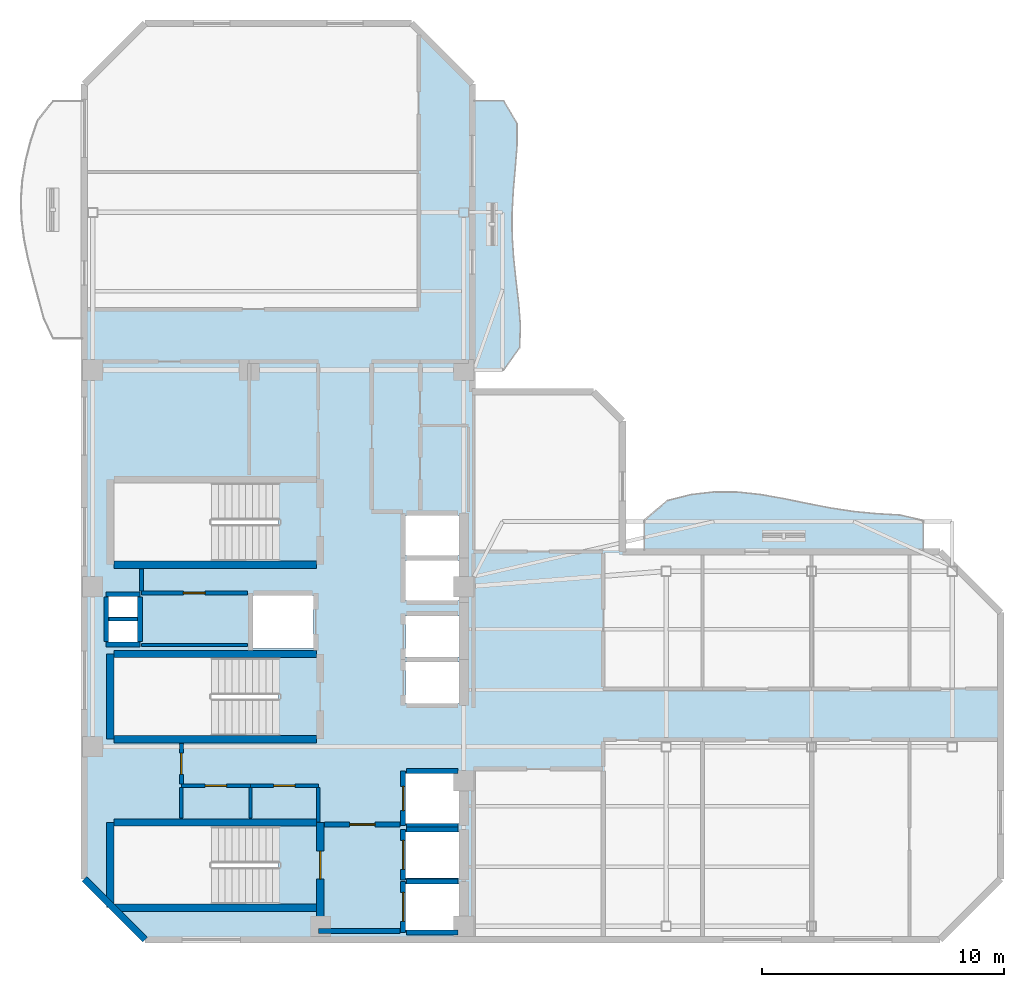
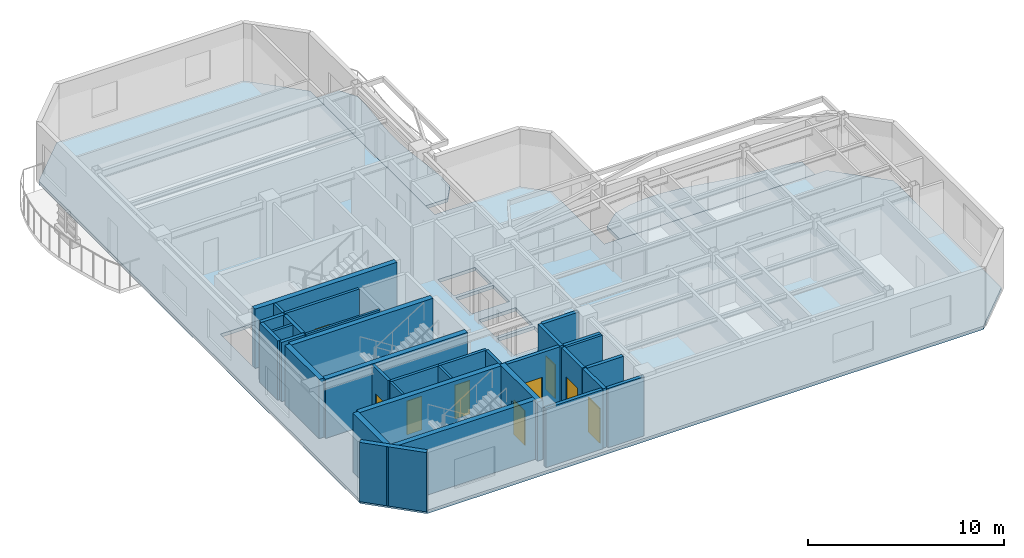
# One storey, part 2 of 7: 33 walls, 9 doors, 3 slabs, 9 openings.
"""IFC4 building model written with IfcOpenShell, lengths in metres."""

from ifc_helpers import new_model, si_unit, direction, frame, frame_2d, origin, place, context, subcontext, project, spatial, polyline, rectangle, outline, extrude, material, layer, layer_set, type_object, element, fill, save


model = new_model("IFC4")

# Units and contexts
model_context = context("Model", 3, precision=1e-05, world=origin(), true_north=direction((0.0, 1.0)))
body_context = subcontext(model_context, "Body", "Model", "MODEL_VIEW")
ifc_project = project(units=[si_unit("LENGTHUNIT", "METRE"), si_unit("AREAUNIT", "SQUARE_METRE"), si_unit("VOLUMEUNIT", "CUBIC_METRE"), si_unit("PLANEANGLEUNIT", "RADIAN"), si_unit("MASSUNIT", "GRAM", prefix="KILO")], contexts=[model_context])

# Site, building, storey
site_placement = place(None, origin())
site = spatial("IfcSite", under=ifc_project, at=site_placement, CompositionType="ELEMENT")
building_placement = place(site_placement, origin())
building = spatial("IfcBuilding", under=site, at=building_placement, Name="Mawjaban Terraces University", CompositionType="ELEMENT")
storey_placement = place(building_placement, frame((0.0, 0.0, 275.5)))
storey = spatial("IfcBuildingStorey", under=building, at=storey_placement, Name="L67", CompositionType="ELEMENT", Elevation=275.5)

# Slabs
ifc_material_1 = material(Name="Concrete C40/50", Category="concrete")
ifc_layer_1 = layer(ifc_material_1, 0.2099609375)
ifc_layer_set_1 = layer_set([ifc_layer_1], Name="Concrete C40/50")
slab_type_1 = type_object("IfcSlabType", Name="BalconySlab_210_Ext", PredefinedType="FLOOR", material=ifc_layer_set_1)
slab_1_placement = place(storey_placement, frame((0.0, 0.0, -0.2099609375)))
element("IfcSlab", 1, at=slab_1_placement, inside=storey, type_object=slab_type_1, Name="L67 Planted Balcony Slab inner_north", PredefinedType="FLOOR", context=body_context, shape_type="SweptSolid", body=[
    extrude(outline(polyline([(45.10009765625, 15.989990234375), (56.60009765625, 15.989990234375), (56.60009765625, 17.300048828125), (55.64208984375, 17.51708984375), (54.68310546875, 17.570068359375), (53.72509765625, 17.6630859375), (52.76708984375, 17.80908203125), (51.80810546875, 17.99609375), (50.85009765625, 18.193115234375), (49.89208984375, 18.362060546875), (48.93310546875, 18.464111328125), (47.97509765625, 18.469970703125), (47.01708984375, 18.35888671875), (46.05810546875, 18.114990234375), (45.10009765625, 17.300048828125), (45.10009765625, 15.989990234375)])), origin(), (0.0, 0.0, 1.0), 0.2099609375),
])
slab_2_placement = place(storey_placement, frame((0.0, 0.0, -0.2099609375)))
element("IfcSlab", 2, at=slab_2_placement, inside=storey, type_object=slab_type_1, Name="L67 Planted Balcony Slab inner_east", PredefinedType="FLOOR", context=body_context, shape_type="SweptSolid", body=[
    extrude(outline(polyline([(39.300048828125, 23.5), (39.955078125, 24.425048828125), (39.985107421875, 25.35009765625), (39.9130859375, 26.27490234375), (39.803955078125, 27.199951171875), (39.705078125, 28.125), (39.64501953125, 29.050048828125), (39.64208984375, 29.97509765625), (39.69189453125, 30.89990234375), (39.77294921875, 31.824951171875), (39.846923828125, 32.75), (39.846923828125, 33.675048828125), (39.300048828125, 34.60009765625), (37.989990234375, 34.60009765625), (37.989990234375, 23.5), (39.300048828125, 23.5)])), origin(), (0.0, 0.0, 1.0), 0.2099609375),
])
ifc_layer_2 = layer(ifc_material_1, 0.2099609375)
ifc_layer_set_2 = layer_set([ifc_layer_2], Name="Concrete C40/50")
slab_type_2 = type_object("IfcSlabType", Name="CompositeSlab_210", PredefinedType="FLOOR", material=ifc_layer_set_2)
slab_3_placement = place(storey_placement, frame((0.0, 0.0, -0.2099609375)))
element("IfcSlab", 3, at=slab_3_placement, inside=storey, type_object=slab_type_2, Name="L67 Primary Structural Slab", PredefinedType="FLOOR", context=body_context, shape_type="SweptSolid", body=[
    extrude(outline(polyline([(24.5, 0.0), (57.300048828125, 0.0), (59.800048828125, 2.5), (59.800048828125, 13.5), (57.300048828125, 16.0), (44.199951171875, 16.0), (44.199951171875, 21.39990234375), (43.0, 22.60009765625), (38.0, 22.60009765625), (38.0, 35.300048828125), (35.5, 37.800048828125), (24.5, 37.800048828125), (22.0, 35.300048828125), (22.0, 2.5), (24.5, 0.0)]), holes=[polyline([(30.014892578125, 4.699951171875), (23.199951171875, 4.699951171875), (23.199951171875, 1.449951171875), (30.014892578125, 1.449951171875), (30.014892578125, 4.699951171875)]), polyline([(30.014892578125, 18.85009765625), (23.199951171875, 18.85009765625), (23.199951171875, 15.60009765625), (30.014892578125, 15.60009765625), (30.014892578125, 18.85009765625)]), polyline([(30.014892578125, 11.64990234375), (23.199951171875, 11.64990234375), (23.199951171875, 8.39990234375), (30.014892578125, 8.39990234375), (30.014892578125, 11.64990234375)]), polyline([(35.25, 0.39990234375), (37.449951171875, 0.39990234375), (37.449951171875, 2.300048828125), (35.25, 2.300048828125), (35.25, 0.39990234375)]), polyline([(35.25, 2.550048828125), (37.449951171875, 2.550048828125), (37.449951171875, 4.449951171875), (35.25, 4.449951171875), (35.25, 2.550048828125)]), polyline([(35.25, 4.800048828125), (37.449951171875, 4.800048828125), (37.449951171875, 6.85009765625), (35.25, 6.85009765625), (35.25, 4.800048828125)]), polyline([(35.25, 9.75), (37.449951171875, 9.75), (37.449951171875, 11.449951171875), (35.25, 11.449951171875), (35.25, 9.75)]), polyline([(35.25, 11.64990234375), (37.449951171875, 11.64990234375), (37.449951171875, 13.35009765625), (35.25, 13.35009765625), (35.25, 11.64990234375)]), polyline([(28.949951171875, 12.0), (31.449951171875, 12.0), (31.449951171875, 14.199951171875), (28.949951171875, 14.199951171875), (28.949951171875, 12.0)]), polyline([(35.25, 14.0), (37.449951171875, 14.0), (37.449951171875, 15.64990234375), (35.25, 15.64990234375), (35.25, 14.0)]), polyline([(35.25, 15.85009765625), (37.449951171875, 15.85009765625), (37.449951171875, 17.5), (35.25, 17.5), (35.25, 15.85009765625)]), polyline([(23.0, 12.25), (24.199951171875, 12.25), (24.199951171875, 13.14990234375), (23.0, 13.14990234375), (23.0, 12.25)]), polyline([(23.0, 13.300048828125), (24.199951171875, 13.300048828125), (24.199951171875, 14.179931640625), (23.0, 14.179931640625), (23.0, 13.300048828125)])]), origin(), (0.0, 0.0, 1.0), 0.2099609375),
])

# Wall, opening, door
ifc_material_2 = material(Name="Fire-rated gypsum board on steel stud", Category="steel")
ifc_layer_3 = layer(ifc_material_2, 0.159912109375)
ifc_layer_set_3 = layer_set([ifc_layer_3], Name="Fire-rated gypsum board on steel stud")
wall_type_1 = type_object("IfcWallType", Name="CorridorPartition_160", PredefinedType="PARTITIONING", material=ifc_layer_set_3)
wall_1_placement = place(storey_placement, frame((24.35009765625, 14.300048828125, 0.0), z_axis=(0.0, 0.0, 1.0), x_axis=(1.0, 0.0, 0.0)))
wall_1 = element("IfcWall", 4, at=wall_1_placement, inside=storey, type_object=wall_type_1, Name="L67 Core Riser Access Passage Partition 2", PredefinedType="PARTITIONING", context=body_context, shape_type="SweptSolid", body=[
    extrude(rectangle(XDim=4.369873046875, YDim=0.159912109375, at=frame_2d((2.18505859375, 0.0))), origin(), (0.0, 0.0, 1.0), 3.68994140625),
])
opening_1_placement = place(wall_1_placement, frame((1.735107421875, 0.0, 0.0)))
opening_1 = element("IfcOpeningElement", 5, at=opening_1_placement, cuts=wall_1, Name="Opening ID-090", PredefinedType="OPENING", context=body_context, shape_type="SweptSolid", body=[
    extrude(rectangle(XDim=0.89990234375, YDim=2.10009765625, at=frame_2d((0.449951171875, 1.050048828125))), frame((0.0, 0.08984375, 0.0), z_axis=(0.0, -1.0, 0.0), x_axis=(1.0, 0.0, 0.0)), (0.0, 0.0, 1.0), 0.179931640625),
])
ifc_material_3 = material(Name="Powder-coated steel frame and solid acoustic timber leaf", Category="steel")
door_type_1 = type_object("IfcDoorType", Name="OfficeDoor_900x2100", OperationType="NOTDEFINED", PredefinedType="DOOR", material=ifc_material_3)
door_1_placement = place(opening_1_placement, origin())
door_1 = element("IfcDoor", 6, at=door_1_placement, inside=storey, type_object=door_type_1, Name="L67 Cleaner Store Door", OperationType="SINGLE_SWING_RIGHT", OverallHeight=2.10009765625, OverallWidth=0.89990234375, PredefinedType="DOOR", context=body_context, shape_type="SweptSolid", body=[
    extrude(rectangle(XDim=0.89990234375, YDim=2.10009765625, at=frame_2d((0.449951171875, 1.050048828125))), frame((0.0, 0.02490234375, 0.0), z_axis=(0.0, -1.0, 0.0), x_axis=(1.0, 0.0, 0.0)), (0.0, 0.0, 1.0), 0.050048828125),
])
fill(opening_1, door_1)

wall_2_placement = place(storey_placement, frame((26.0, 6.35009765625, 0.0), z_axis=(0.0, 0.0, 1.0), x_axis=(1.0, 0.0, 0.0)))
wall_2 = element("IfcWall", 7, at=wall_2_placement, inside=storey, type_object=wall_type_1, Name="L67 Core Washroom Lobby Partition 3", PredefinedType="PARTITIONING", context=body_context, shape_type="SweptSolid", body=[
    extrude(rectangle(XDim=2.85009765625, YDim=0.159912109375, at=frame_2d((1.425048828125, 0.0))), origin(), (0.0, 0.0, 1.0), 3.68994140625),
])
opening_2_placement = place(wall_2_placement, frame((0.985107421875, 0.0, 0.0)))
opening_2 = element("IfcOpeningElement", 8, at=opening_2_placement, cuts=wall_2, Name="Opening ID-088", PredefinedType="OPENING", context=body_context, shape_type="SweptSolid", body=[
    extrude(rectangle(XDim=0.8798828125, YDim=2.10009765625, at=frame_2d((0.43994140625, 1.050048828125))), frame((0.0, 0.08984375, 0.0), z_axis=(0.0, -1.0, 0.0), x_axis=(1.0, 0.0, 0.0)), (0.0, 0.0, 1.0), 0.179931640625),
])
door_type_2 = type_object("IfcDoorType", Name="ToiletDoor_880x2100", OperationType="NOTDEFINED", PredefinedType="DOOR", material=ifc_material_3)
door_2_placement = place(opening_2_placement, origin())
door_2 = element("IfcDoor", 9, at=door_2_placement, inside=storey, type_object=door_type_2, Name="L67 Male Toilet Door", OperationType="SINGLE_SWING_RIGHT", OverallHeight=2.10009765625, OverallWidth=0.8798828125, PredefinedType="DOOR", context=body_context, shape_type="SweptSolid", body=[
    extrude(rectangle(XDim=0.8798828125, YDim=2.10009765625, at=frame_2d((0.43994140625, 1.050048828125))), frame((0.0, 0.02490234375, 0.0), z_axis=(0.0, -1.0, 0.0), x_axis=(1.0, 0.0, 0.0)), (0.0, 0.0, 1.0), 0.050048828125),
])
fill(opening_2, door_2)

wall_3_placement = place(storey_placement, frame((28.85009765625, 6.35009765625, 0.0), z_axis=(0.0, 0.0, 1.0), x_axis=(1.0, 0.0, 0.0)))
wall_3 = element("IfcWall", 10, at=wall_3_placement, inside=storey, type_object=wall_type_1, Name="L67 Core Washroom Lobby Partition 5", PredefinedType="PARTITIONING", context=body_context, shape_type="SweptSolid", body=[
    extrude(rectangle(XDim=2.7998046875, YDim=0.159912109375, at=frame_2d((1.39990234375, 0.0))), origin(), (0.0, 0.0, 1.0), 3.68994140625),
])
opening_3_placement = place(wall_3_placement, frame((0.9599609375, 0.0, 0.0)))
opening_3 = element("IfcOpeningElement", 11, at=opening_3_placement, cuts=wall_3, Name="Opening ID-088", PredefinedType="OPENING", context=body_context, shape_type="SweptSolid", body=[
    extrude(rectangle(XDim=0.8798828125, YDim=2.10009765625, at=frame_2d((0.43994140625, 1.050048828125))), frame((0.0, 0.08984375, 0.0), z_axis=(0.0, -1.0, 0.0), x_axis=(1.0, 0.0, 0.0)), (0.0, 0.0, 1.0), 0.179931640625),
])
door_3_placement = place(opening_3_placement, origin())
door_3 = element("IfcDoor", 12, at=door_3_placement, inside=storey, type_object=door_type_2, Name="L67 Accessible Toilet Door", OperationType="SINGLE_SWING_LEFT", OverallHeight=2.10009765625, OverallWidth=0.8798828125, PredefinedType="DOOR", context=body_context, shape_type="SweptSolid", body=[
    extrude(rectangle(XDim=0.8798828125, YDim=2.10009765625, at=frame_2d((0.43994140625, 1.050048828125))), frame((0.0, 0.02490234375, 0.0), z_axis=(0.0, -1.0, 0.0), x_axis=(1.0, 0.0, 0.0)), (0.0, 0.0, 1.0), 0.050048828125),
])
fill(opening_3, door_3)

# Wall
wall_4_placement = place(storey_placement, frame((24.35009765625, 15.2900390625, 0.0), z_axis=(0.0, 0.0, 1.0), x_axis=(0.0, -1.0, 0.0)))
element("IfcWall", 13, at=wall_4_placement, inside=storey, type_object=wall_type_1, Name="L67 Core Riser Access Passage Partition 25", PredefinedType="PARTITIONING", context=body_context, shape_type="SweptSolid", body=[
    extrude(rectangle(XDim=0.9150390625, YDim=0.159912109375, at=frame_2d((0.45751953125, 0.0))), origin(), (0.0, 0.0, 1.0), 3.68994140625),
])

# Wall, opening, door
wall_5_placement = place(storey_placement, frame((26.0, 8.090087890625, 0.0), z_axis=(0.0, 0.0, 1.0), x_axis=(0.0, -1.0, 0.0)))
wall_5 = element("IfcWall", 14, at=wall_5_placement, inside=storey, type_object=wall_type_1, Name="L67 Core Washroom Lobby Partition 27", PredefinedType="PARTITIONING", context=body_context, shape_type="SweptSolid", body=[
    extrude(rectangle(XDim=1.6650390625, YDim=0.159912109375, at=frame_2d((0.83251953125, 0.0))), origin(), (0.0, 0.0, 1.0), 3.68994140625),
])
opening_4_placement = place(wall_5_placement, frame((0.39306640625, 0.0, 0.0)))
opening_4 = element("IfcOpeningElement", 15, at=opening_4_placement, cuts=wall_5, Name="Opening ID-088", PredefinedType="OPENING", context=body_context, shape_type="SweptSolid", body=[
    extrude(rectangle(XDim=0.8798828125, YDim=2.10009765625, at=frame_2d((0.43994140625, 1.050048828125))), frame((0.0, 0.08984375, 0.0), z_axis=(0.0, -1.0, 0.0), x_axis=(1.0, 0.0, 0.0)), (0.0, 0.0, 1.0), 0.179931640625),
])
door_4_placement = place(opening_4_placement, origin())
door_4 = element("IfcDoor", 16, at=door_4_placement, inside=storey, type_object=door_type_2, Name="L67 Ablution Room Door", OperationType="SINGLE_SWING_LEFT", OverallHeight=2.10009765625, OverallWidth=0.8798828125, PredefinedType="DOOR", context=body_context, shape_type="SweptSolid", body=[
    extrude(rectangle(XDim=0.8798828125, YDim=2.10009765625, at=frame_2d((0.43994140625, 1.050048828125))), frame((0.0, 0.02490234375, 0.0), z_axis=(0.0, -1.0, 0.0), x_axis=(1.0, 0.0, 0.0)), (0.0, 0.0, 1.0), 0.050048828125),
])
fill(opening_4, door_4)

# Walls
wall_6_placement = place(storey_placement, frame((31.64990234375, 4.860107421875, 0.0), z_axis=(0.0, 0.0, 1.0), x_axis=(0.0, 1.0, 0.0)))
element("IfcWall", 17, at=wall_6_placement, inside=storey, type_object=wall_type_1, Name="L67 Accessible Toilet Partition 30", PredefinedType="PARTITIONING", context=body_context, shape_type="SweptSolid", body=[
    extrude(rectangle(XDim=1.414794921875, YDim=0.159912109375, at=frame_2d((0.70751953125, 0.0))), origin(), (0.0, 0.0, 1.0), 3.68994140625),
])
ifc_material_4 = material(Name="Insulated terracotta rainscreen on concrete backup C40/50", Category="masonry")
ifc_layer_4 = layer(ifc_material_4, 0.27490234375)
ifc_layer_set_4 = layer_set([ifc_layer_4], Name="Insulated terracotta rainscreen on concrete backup C40/50")
wall_type_2 = type_object("IfcWallType", Name="ExtTerracottaWall_275", PredefinedType="SOLIDWALL", material=ifc_layer_set_4)
wall_7_placement = place(storey_placement, frame((22.0, 2.5, 0.0), z_axis=(0.0, 0.0, 1.0), x_axis=(0.707106781187, -0.707106781187, 0.0)))
element("IfcWall", 18, at=wall_7_placement, inside=storey, type_object=wall_type_2, Name="L67 Exterior Terracotta Wall 14", PredefinedType="SOLIDWALL", context=body_context, shape_type="SweptSolid", body=[
    extrude(rectangle(XDim=3.53564453125, YDim=0.27490234375, at=frame_2d((1.767822265625, 0.0))), origin(), (0.0, 0.0, 1.0), 3.68994140625),
])

# Wall, opening, door
ifc_layer_5 = layer(ifc_material_1, 0.199951171875)
ifc_layer_set_5 = layer_set([ifc_layer_5], Name="Concrete C40/50")
wall_type_3 = type_object("IfcWallType", Name="FireLobbyWall_200", PredefinedType="SOLIDWALL", material=ifc_layer_set_5)
wall_8_placement = place(storey_placement, frame((35.14990234375, 2.39990234375, 0.0), z_axis=(0.0, 0.0, 1.0), x_axis=(0.0, -1.0, 0.0)))
wall_8 = element("IfcWall", 19, at=wall_8_placement, inside=storey, type_object=wall_type_3, Name="L67 Lift FL-1 Hoistway Wall West", PredefinedType="SOLIDWALL", context=body_context, shape_type="SweptSolid", body=[
    extrude(rectangle(XDim=2.099853515625, YDim=0.199951171875, at=frame_2d((1.0498046875, 0.0))), origin(), (0.0, 0.0, 1.0), 3.68994140625),
])
opening_5_placement = place(wall_8_placement, frame((0.449951171875, 0.0, 0.0)))
opening_5 = element("IfcOpeningElement", 20, at=opening_5_placement, cuts=wall_8, Name="Opening LD-FL-1", PredefinedType="OPENING", context=body_context, shape_type="SweptSolid", body=[
    extrude(rectangle(XDim=1.199951171875, YDim=2.14990234375, at=frame_2d((0.60009765625, 1.074951171875))), frame((0.0, 0.10986328125, 0.0), z_axis=(0.0, -1.0, 0.0), x_axis=(1.0, 0.0, 0.0)), (0.0, 0.0, 1.0), 0.219970703125),
])
ifc_material_5 = material(Name="Powder-coated steel frame and fire-rated steel-faced leaf", Category="steel")
door_type_3 = type_object("IfcDoorType", Name="LiftLandingFSAE_1200x2150", OperationType="NOTDEFINED", PredefinedType="DOOR", material=ifc_material_5)
door_5_placement = place(opening_5_placement, origin())
door_5 = element("IfcDoor", 21, at=door_5_placement, inside=storey, type_object=door_type_3, Name="L67 Lift FL-1 Sliding Landing Door", OperationType="DOUBLE_DOOR_SLIDING", OverallHeight=2.14990234375, OverallWidth=1.199951171875, PredefinedType="DOOR", context=body_context, shape_type="SweptSolid", body=[
    extrude(rectangle(XDim=1.199951171875, YDim=2.14990234375, at=frame_2d((0.60009765625, 1.074951171875))), frame((0.0, 0.02490234375, 0.0), z_axis=(0.0, -1.0, 0.0), x_axis=(1.0, 0.0, 0.0)), (0.0, 0.0, 1.0), 0.050048828125),
])
fill(opening_5, door_5)

# Walls
for number, where, z_axis, x_axis, name in (
    (22, (35.280029296875, 0.300048828125, 0.0), (0.0, 0.0, 1.0), (1.0, 0.0, 0.0), "L67 Lift FL-1 Hoistway Wall South"),
    (23, (37.419921875, 2.39990234375, 0.0), (0.0, 0.0, 1.0), (-1.0, 0.0, 0.0), "L67 Lift FL-1 Hoistway Wall North"),
):
    element("IfcWall", number, at=place(storey_placement, frame(where, z_axis=z_axis, x_axis=x_axis)), inside=storey, type_object=wall_type_3, Name=name, PredefinedType="SOLIDWALL", context=body_context, shape_type="SweptSolid", body=[
        extrude(rectangle(XDim=2.139892578125, YDim=0.199951171875, at=frame_2d((1.06982421875, 0.0))), origin(), (0.0, 0.0, 1.0), 3.68994140625),
    ])

# Wall, opening, door
wall_9_placement = place(storey_placement, frame((35.14990234375, 4.550048828125, 0.0), z_axis=(0.0, 0.0, 1.0), x_axis=(0.0, -1.0, 0.0)))
wall_9 = element("IfcWall", 24, at=wall_9_placement, inside=storey, type_object=wall_type_3, Name="L67 Lift FL-2 Hoistway Wall West", PredefinedType="SOLIDWALL", context=body_context, shape_type="SweptSolid", body=[
    extrude(rectangle(XDim=2.10009765625, YDim=0.199951171875, at=frame_2d((1.050048828125, 0.0))), origin(), (0.0, 0.0, 1.0), 3.68994140625),
])
opening_6_placement = place(wall_9_placement, frame((0.449951171875, 0.0, 0.0)))
opening_6 = element("IfcOpeningElement", 25, at=opening_6_placement, cuts=wall_9, Name="Opening LD-FL-2", PredefinedType="OPENING", context=body_context, shape_type="SweptSolid", body=[
    extrude(rectangle(XDim=1.199951171875, YDim=2.14990234375, at=frame_2d((0.60009765625, 1.074951171875))), frame((0.0, 0.10986328125, 0.0), z_axis=(0.0, -1.0, 0.0), x_axis=(1.0, 0.0, 0.0)), (0.0, 0.0, 1.0), 0.219970703125),
])
door_6_placement = place(opening_6_placement, origin())
door_6 = element("IfcDoor", 26, at=door_6_placement, inside=storey, type_object=door_type_3, Name="L67 Lift FL-2 Sliding Landing Door", OperationType="DOUBLE_DOOR_SLIDING", OverallHeight=2.14990234375, OverallWidth=1.199951171875, PredefinedType="DOOR", context=body_context, shape_type="SweptSolid", body=[
    extrude(rectangle(XDim=1.199951171875, YDim=2.14990234375, at=frame_2d((0.60009765625, 1.074951171875))), frame((0.0, 0.02490234375, 0.0), z_axis=(0.0, -1.0, 0.0), x_axis=(1.0, 0.0, 0.0)), (0.0, 0.0, 1.0), 0.050048828125),
])
fill(opening_6, door_6)

# Wall
wall_10_placement = place(storey_placement, frame((37.419921875, 4.550048828125, 0.0), z_axis=(0.0, 0.0, 1.0), x_axis=(-1.0, 0.0, 0.0)))
element("IfcWall", 27, at=wall_10_placement, inside=storey, type_object=wall_type_3, Name="L67 Lift FL-2 Hoistway Wall North", PredefinedType="SOLIDWALL", context=body_context, shape_type="SweptSolid", body=[
    extrude(rectangle(XDim=2.139892578125, YDim=0.199951171875, at=frame_2d((1.06982421875, 0.0))), origin(), (0.0, 0.0, 1.0), 3.68994140625),
])

# Wall, opening, door
wall_11_placement = place(storey_placement, frame((35.14990234375, 6.949951171875, 0.0), z_axis=(0.0, 0.0, 1.0), x_axis=(0.0, -1.0, 0.0)))
wall_11 = element("IfcWall", 28, at=wall_11_placement, inside=storey, type_object=wall_type_3, Name="L67 Lift SL-1 Hoistway Wall West", PredefinedType="SOLIDWALL", context=body_context, shape_type="SweptSolid", body=[
    extrude(rectangle(XDim=2.25, YDim=0.199951171875, at=frame_2d((1.125, 0.0))), origin(), (0.0, 0.0, 1.0), 3.68994140625),
])
opening_7_placement = place(wall_11_placement, frame((0.625, 0.0, 0.0)))
opening_7 = element("IfcOpeningElement", 29, at=opening_7_placement, cuts=wall_11, Name="Opening LD-SL-1", PredefinedType="OPENING", context=body_context, shape_type="SweptSolid", body=[
    extrude(rectangle(XDim=1.0, YDim=2.10009765625, at=frame_2d((0.5, 1.050048828125))), frame((0.0, 0.10986328125, 0.0), z_axis=(0.0, -1.0, 0.0), x_axis=(1.0, 0.0, 0.0)), (0.0, 0.0, 1.0), 0.219970703125),
])
door_type_4 = type_object("IfcDoorType", Name="LiftLandingSliding_1000x2100", OperationType="NOTDEFINED", PredefinedType="DOOR", material=ifc_material_5)
door_7_placement = place(opening_7_placement, origin())
door_7 = element("IfcDoor", 30, at=door_7_placement, inside=storey, type_object=door_type_4, Name="L67 Lift SL-1 Sliding Landing Door", OperationType="DOUBLE_DOOR_SLIDING", OverallHeight=2.10009765625, OverallWidth=1.0, PredefinedType="DOOR", context=body_context, shape_type="SweptSolid", body=[
    extrude(rectangle(XDim=1.0, YDim=2.10009765625, at=frame_2d((0.5, 1.050048828125))), frame((0.0, 0.02490234375, 0.0), z_axis=(0.0, -1.0, 0.0), x_axis=(1.0, 0.0, 0.0)), (0.0, 0.0, 1.0), 0.050048828125),
])
fill(opening_7, door_7)

# Walls
for number, where, z_axis, x_axis, name in (
    (31, (35.280029296875, 4.699951171875, 0.0), (0.0, 0.0, 1.0), (1.0, 0.0, 0.0), "L67 Lift SL-1 Hoistway Wall South"),
    (32, (37.419921875, 6.949951171875, 0.0), (0.0, 0.0, 1.0), (-1.0, 0.0, 0.0), "L67 Lift SL-1 Hoistway Wall North"),
):
    element("IfcWall", number, at=place(storey_placement, frame(where, z_axis=z_axis, x_axis=x_axis)), inside=storey, type_object=wall_type_3, Name=name, PredefinedType="SOLIDWALL", context=body_context, shape_type="SweptSolid", body=[
        extrude(rectangle(XDim=2.139892578125, YDim=0.199951171875, at=frame_2d((1.06982421875, 0.0))), origin(), (0.0, 0.0, 1.0), 3.68994140625),
    ])
for number, where, z_axis, x_axis, name in (
    (33, (22.89990234375, 14.25, 0.0), (0.0, 0.0, 1.0), (1.0, 0.0, 0.0), "L67 MEP Riser Shaft Wall N"),
    (34, (22.89990234375, 12.179931640625, 0.0), (0.0, 0.0, 1.0), (1.0, 0.0, 0.0), "L67 MEP Riser Shaft Wall S"),
):
    element("IfcWall", number, at=place(storey_placement, frame(where, z_axis=z_axis, x_axis=x_axis)), inside=storey, type_object=wall_type_3, Name=name, PredefinedType="SOLIDWALL", context=body_context, shape_type="SweptSolid", body=[
        extrude(rectangle(XDim=1.400146484375, YDim=0.199951171875, at=frame_2d((0.7001953125, 0.0))), origin(), (0.0, 0.0, 1.0), 3.68994140625),
    ])
for number, where, z_axis, x_axis, name in (
    (35, (24.300048828125, 12.300048828125, 0.0), (0.0, 0.0, 1.0), (0.0, 1.0, 0.0), "L67 MEP Riser Shaft Wall E"),
    (36, (22.89990234375, 12.300048828125, 0.0), (0.0, 0.0, 1.0), (0.0, 1.0, 0.0), "L67 MEP Riser Shaft Wall W"),
):
    element("IfcWall", number, at=place(storey_placement, frame(where, z_axis=z_axis, x_axis=x_axis)), inside=storey, type_object=wall_type_3, Name=name, PredefinedType="SOLIDWALL", context=body_context, shape_type="SweptSolid", body=[
        extrude(rectangle(XDim=1.829833984375, YDim=0.199951171875, at=frame_2d((0.9150390625, 0.0))), origin(), (0.0, 0.0, 1.0), 3.68994140625),
    ])
wall_12_placement = place(storey_placement, frame((31.64990234375, 0.35009765625, 0.0), z_axis=(0.0, 0.0, 1.0), x_axis=(1.0, 0.0, 0.0)))
element("IfcWall", 37, at=wall_12_placement, inside=storey, type_object=wall_type_3, Name="L67 Firefighting Lift Lobby Partition 6", PredefinedType="SOLIDWALL", context=body_context, shape_type="SweptSolid", body=[
    extrude(rectangle(XDim=3.3701171875, YDim=0.199951171875, at=frame_2d((1.68505859375, 0.0))), origin(), (0.0, 0.0, 1.0), 3.68994140625),
])

# Wall, opening, door
wall_13_placement = place(storey_placement, frame((35.02001953125, 4.75, 0.0), z_axis=(0.0, 0.0, 1.0), x_axis=(-1.0, 0.0, 0.0)))
wall_13 = element("IfcWall", 38, at=wall_13_placement, inside=storey, type_object=wall_type_3, Name="L67 Firefighting Lift Lobby Partition 9", PredefinedType="SOLIDWALL", context=body_context, shape_type="SweptSolid", body=[
    extrude(rectangle(XDim=3.110107421875, YDim=0.199951171875, at=frame_2d((1.55517578125, 0.0))), origin(), (0.0, 0.0, 1.0), 3.68994140625),
])
opening_8_placement = place(wall_13_placement, frame((1.030029296875, 0.0, 0.0)))
opening_8 = element("IfcOpeningElement", 39, at=opening_8_placement, cuts=wall_13, Name="Opening FD-105", PredefinedType="OPENING", context=body_context, shape_type="SweptSolid", body=[
    extrude(rectangle(XDim=1.050048828125, YDim=2.14990234375, at=frame_2d((0.52490234375, 1.074951171875))), frame((0.0, 0.10986328125, 0.0), z_axis=(0.0, -1.0, 0.0), x_axis=(1.0, 0.0, 0.0)), (0.0, 0.0, 1.0), 0.219970703125),
])
door_type_5 = type_object("IfcDoorType", Name="FireLobbyDoor_1050x2150", OperationType="NOTDEFINED", PredefinedType="DOOR", material=ifc_material_5)
door_8_placement = place(opening_8_placement, origin())
door_8 = element("IfcDoor", 40, at=door_8_placement, inside=storey, type_object=door_type_5, Name="L67 Firefighting Lift Lobby Door", OperationType="SINGLE_SWING_RIGHT", OverallHeight=2.14990234375, OverallWidth=1.050048828125, PredefinedType="DOOR", context=body_context, shape_type="SweptSolid", body=[
    extrude(rectangle(XDim=1.050048828125, YDim=2.14990234375, at=frame_2d((0.52490234375, 1.074951171875))), frame((0.0, 0.02490234375, 0.0), z_axis=(0.0, -1.0, 0.0), x_axis=(1.0, 0.0, 0.0)), (0.0, 0.0, 1.0), 0.050048828125),
])
fill(opening_8, door_8)

# Walls
ifc_material_6 = material(Name="Moisture-resistant gypsum board on steel stud", Category="steel")
ifc_layer_6 = layer(ifc_material_6, 0.14501953125)
ifc_layer_set_6 = layer_set([ifc_layer_6], Name="Moisture-resistant gypsum board on steel stud")
wall_type_4 = type_object("IfcWallType", Name="LabPartition_145", PredefinedType="PARTITIONING", material=ifc_layer_set_6)
wall_14_placement = place(storey_placement, frame((23.010009765625, 13.22509765625, 0.0), z_axis=(0.0, 0.0, 1.0), x_axis=(1.0, 0.0, 0.0)))
element("IfcWall", 41, at=wall_14_placement, inside=storey, type_object=wall_type_4, Name="L67 MEP Riser Shaft Wall M", PredefinedType="PARTITIONING", context=body_context, shape_type="SweptSolid", body=[
    extrude(rectangle(XDim=1.179931640625, YDim=0.14501953125, at=frame_2d((0.58984375, 0.0))), origin(), (0.0, 0.0, 1.0), 3.68994140625),
])
ifc_material_7 = material(Name="Gypsum plasterboard on steel stud", Category="steel")
ifc_layer_7 = layer(ifc_material_7, 0.125)
ifc_layer_set_7 = layer_set([ifc_layer_7], Name="Gypsum plasterboard on steel stud")
wall_type_5 = type_object("IfcWallType", Name="OfficePartition_125", PredefinedType="PARTITIONING", material=ifc_layer_set_7)
wall_15_placement = place(storey_placement, frame((24.35009765625, 12.14990234375, 0.0), z_axis=(0.0, 0.0, 1.0), x_axis=(1.0, 0.0, 0.0)))
element("IfcWall", 42, at=wall_15_placement, inside=storey, type_object=wall_type_5, Name="L67 Cleaner Store Partition 1", PredefinedType="PARTITIONING", context=body_context, shape_type="SweptSolid", body=[
    extrude(rectangle(XDim=4.369873046875, YDim=0.125, at=frame_2d((2.18505859375, 0.0))), origin(), (0.0, 0.0, 1.0), 3.68994140625),
])
ifc_material_8 = material(Name="Concrete C60/75", Category="concrete")
ifc_layer_8 = layer(ifc_material_8, 0.300048828125)
ifc_layer_set_8 = layer_set([ifc_layer_8], Name="Concrete C60/75")
wall_type_6 = type_object("IfcWallType", Name="StairShaftWall_300", PredefinedType="SHEAR", material=ifc_layer_set_8)
wall_16_placement = place(storey_placement, frame((31.580078125, 4.830078125, 0.0), z_axis=(0.0, 0.0, 1.0), x_axis=(-1.0, 0.0, 0.0)))
element("IfcWall", 43, at=wall_16_placement, inside=storey, type_object=wall_type_6, Name="L67 ST-1 Stair Shaft Wall 1", PredefinedType="SHEAR", context=body_context, shape_type="SweptSolid", body=[
    extrude(rectangle(XDim=8.360107421875, YDim=0.300048828125, at=frame_2d((4.18017578125, 0.0))), origin(), (0.0, 0.0, 1.0), 3.68994140625),
])
wall_17_placement = place(storey_placement, frame((23.070068359375, 4.830078125, 0.0), z_axis=(0.0, 0.0, 1.0), x_axis=(0.0, -1.0, 0.0)))
element("IfcWall", 44, at=wall_17_placement, inside=storey, type_object=wall_type_6, Name="L67 ST-1 Stair Shaft Wall 2", PredefinedType="SHEAR", context=body_context, shape_type="SweptSolid", body=[
    extrude(rectangle(XDim=3.510009765625, YDim=0.300048828125, at=frame_2d((1.7548828125, 0.0))), origin(), (0.0, 0.0, 1.0), 3.68994140625),
])
wall_18_placement = place(storey_placement, frame((23.219970703125, 1.320068359375, 0.0), z_axis=(0.0, 0.0, 1.0), x_axis=(1.0, 0.0, 0.0)))
element("IfcWall", 45, at=wall_18_placement, inside=storey, type_object=wall_type_6, Name="L67 ST-1 Stair Shaft Wall 3", PredefinedType="SHEAR", context=body_context, shape_type="SweptSolid", body=[
    extrude(rectangle(XDim=8.360107421875, YDim=0.300048828125, at=frame_2d((4.18017578125, 0.0))), origin(), (0.0, 0.0, 1.0), 3.68994140625),
])

# Wall, opening, door
wall_19_placement = place(storey_placement, frame((31.72998046875, 0.9599609375, 0.0), z_axis=(0.0, 0.0, 1.0), x_axis=(0.0, 1.0, 0.0)))
wall_19 = element("IfcWall", 46, at=wall_19_placement, inside=storey, type_object=wall_type_6, Name="L67 ST-1 Stair Shaft Wall 4", PredefinedType="SHEAR", context=body_context, shape_type="SweptSolid", body=[
    extrude(rectangle(XDim=3.8701171875, YDim=0.300048828125, at=frame_2d((1.93505859375, 0.0))), origin(), (0.0, 0.0, 1.0), 3.68994140625),
])
opening_9_placement = place(wall_19_placement, frame((1.5400390625, 0.0, 0.0)))
opening_9 = element("IfcOpeningElement", 47, at=opening_9_placement, cuts=wall_19, Name="Opening FD-115", PredefinedType="OPENING", context=body_context, shape_type="SweptSolid", body=[
    extrude(rectangle(XDim=1.14990234375, YDim=2.14990234375, at=frame_2d((0.574951171875, 1.074951171875))), frame((0.0, 0.159912109375, 0.0), z_axis=(0.0, -1.0, 0.0), x_axis=(1.0, 0.0, 0.0)), (0.0, 0.0, 1.0), 0.320068359375),
])
door_type_6 = type_object("IfcDoorType", Name="FireStairDoor_1150x2150", OperationType="NOTDEFINED", PredefinedType="DOOR", material=ifc_material_5)
door_9_placement = place(opening_9_placement, origin())
door_9 = element("IfcDoor", 48, at=door_9_placement, inside=storey, type_object=door_type_6, Name="L67 ST-1 Pressurised Stair Fire Door", OperationType="SINGLE_SWING_LEFT", OverallHeight=2.14990234375, OverallWidth=1.14990234375, PredefinedType="DOOR", context=body_context, shape_type="SweptSolid", body=[
    extrude(rectangle(XDim=1.14990234375, YDim=2.14990234375, at=frame_2d((0.574951171875, 1.074951171875))), frame((0.0, 0.02490234375, 0.0), z_axis=(0.0, -1.0, 0.0), x_axis=(1.0, 0.0, 0.0)), (0.0, 0.0, 1.0), 0.050048828125),
])
fill(opening_9, door_9)

# Walls
for number, where, z_axis, x_axis, name in (
    (49, (23.219970703125, 15.469970703125, 0.0), (0.0, 0.0, 1.0), (1.0, 0.0, 0.0), "L67 ST-2 Stair Shaft Wall 3"),
    (50, (31.580078125, 11.780029296875, 0.0), (0.0, 0.0, 1.0), (-1.0, 0.0, 0.0), "L67 ST-3 Stair Shaft Wall 1"),
):
    element("IfcWall", number, at=place(storey_placement, frame(where, z_axis=z_axis, x_axis=x_axis)), inside=storey, type_object=wall_type_6, Name=name, PredefinedType="SHEAR", context=body_context, shape_type="SweptSolid", body=[
        extrude(rectangle(XDim=8.360107421875, YDim=0.300048828125, at=frame_2d((4.18017578125, 0.0))), origin(), (0.0, 0.0, 1.0), 3.68994140625),
    ])
wall_20_placement = place(storey_placement, frame((23.070068359375, 11.780029296875, 0.0), z_axis=(0.0, 0.0, 1.0), x_axis=(0.0, -1.0, 0.0)))
element("IfcWall", 51, at=wall_20_placement, inside=storey, type_object=wall_type_6, Name="L67 ST-3 Stair Shaft Wall 2", PredefinedType="SHEAR", context=body_context, shape_type="SweptSolid", body=[
    extrude(rectangle(XDim=3.510009765625, YDim=0.300048828125, at=frame_2d((1.7548828125, 0.0))), origin(), (0.0, 0.0, 1.0), 3.68994140625),
])
wall_21_placement = place(storey_placement, frame((23.219970703125, 8.27001953125, 0.0), z_axis=(0.0, 0.0, 1.0), x_axis=(1.0, 0.0, 0.0)))
element("IfcWall", 52, at=wall_21_placement, inside=storey, type_object=wall_type_6, Name="L67 ST-3 Stair Shaft Wall 3", PredefinedType="SHEAR", context=body_context, shape_type="SweptSolid", body=[
    extrude(rectangle(XDim=8.360107421875, YDim=0.300048828125, at=frame_2d((4.18017578125, 0.0))), origin(), (0.0, 0.0, 1.0), 3.68994140625),
])
ifc_material_9 = material(Name="Cement-board wet-room partition", Category="masonry")
ifc_layer_9 = layer(ifc_material_9, 0.135009765625)
ifc_layer_set_9 = layer_set([ifc_layer_9], Name="Cement-board wet-room partition")
wall_type_7 = type_object("IfcWallType", Name="WetRoomPartition_135", PredefinedType="PARTITIONING", material=ifc_layer_set_9)
for number, where, z_axis, x_axis, name in (
    (53, (26.0, 5.010009765625, 0.0), (0.0, 0.0, 1.0), (0.0, 1.0, 0.0), "L67 Ablution Room Partition 26"),
    (54, (28.85009765625, 5.010009765625, 0.0), (0.0, 0.0, 1.0), (0.0, 1.0, 0.0), "L67 Male Toilet Partition 29"),
):
    element("IfcWall", number, at=place(storey_placement, frame(where, z_axis=z_axis, x_axis=x_axis)), inside=storey, type_object=wall_type_7, Name=name, PredefinedType="PARTITIONING", context=body_context, shape_type="SweptSolid", body=[
        extrude(rectangle(XDim=1.264892578125, YDim=0.135009765625, at=frame_2d((0.63232421875, 0.0))), origin(), (0.0, 0.0, 1.0), 3.68994140625),
    ])

save(model, "model.ifc")
